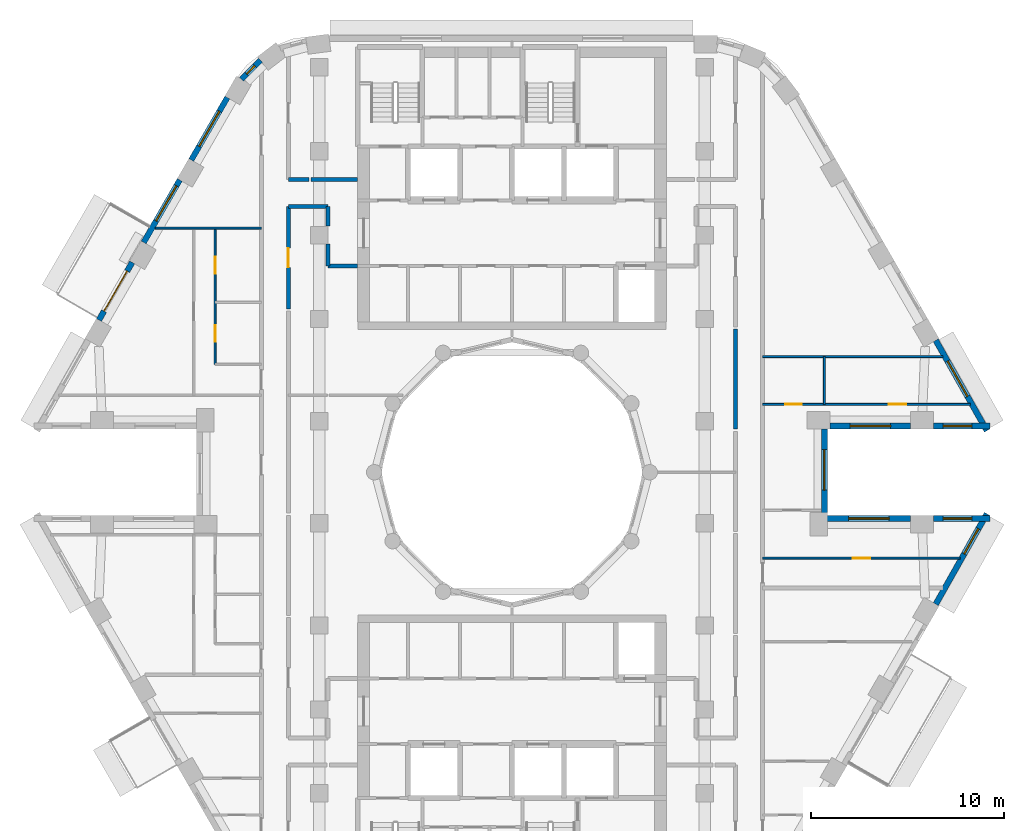
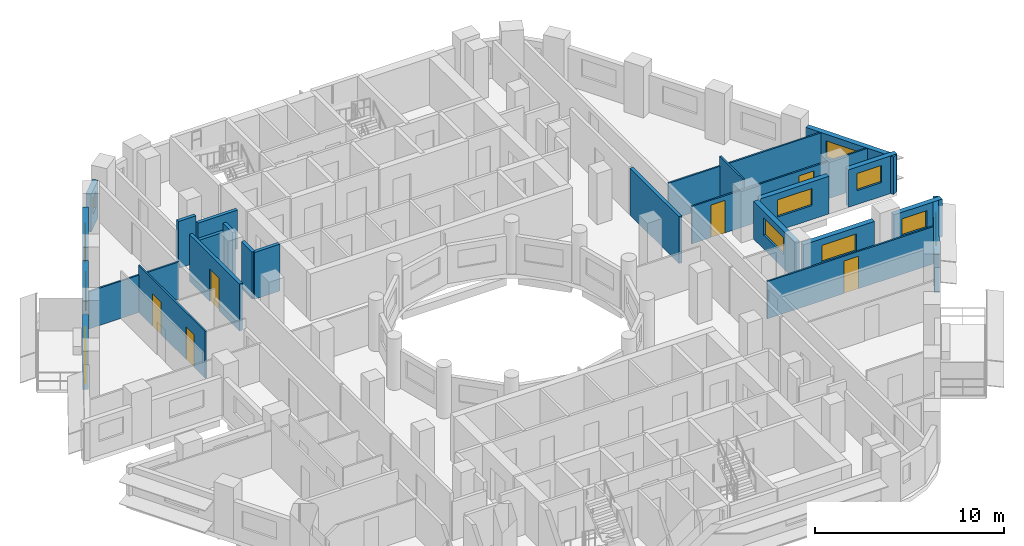
# One storey, part 7 of 17: 25 walls, 10 windows, 7 doors, 17 openings.
"""IFC4 building model written with IfcOpenShell, lengths in metres."""

from ifc_helpers import new_model, si_unit, direction, frame, frame_2d, origin, place, context, subcontext, project, spatial, rectangle, extrude, material, layer, layer_set, type_object, element, fill, save


model = new_model("IFC4")

# Units and contexts
model_context = context("Model", 3, precision=1e-05, world=origin(), true_north=direction((0.0, 1.0)))
body_context = subcontext(model_context, "Body", "Model", "MODEL_VIEW")
ifc_project = project(units=[si_unit("LENGTHUNIT", "METRE"), si_unit("AREAUNIT", "SQUARE_METRE"), si_unit("VOLUMEUNIT", "CUBIC_METRE"), si_unit("PLANEANGLEUNIT", "RADIAN"), si_unit("MASSUNIT", "GRAM", prefix="KILO")], contexts=[model_context])

# Site, building, storey
site_placement = place(None, origin())
site = spatial("IfcSite", under=ifc_project, at=site_placement, CompositionType="ELEMENT")
building_placement = place(site_placement, origin())
building = spatial("IfcBuilding", under=site, at=building_placement, Name="Nakaniwa Court", CompositionType="ELEMENT")
storey_placement = place(building_placement, frame((0.0, 0.0, 209.699951171875)))
storey = spatial("IfcBuildingStorey", under=building, at=storey_placement, Name="L55", CompositionType="ELEMENT", Elevation=209.699951171875)

# Walls
ifc_material_1 = material(Name="Acoustic double stud partition")
ifc_layer_1 = layer(ifc_material_1, 0.199951171875)
ifc_layer_set_1 = layer_set([ifc_layer_1], Name="Acoustic double stud partition")
wall_type_1 = type_object("IfcWallType", Name="Acoustic double stud partition 200", PredefinedType="PARTITIONING", material=ifc_layer_set_1)
wall_1_placement = place(storey_placement, frame((91.60009765625, 82.2373046875, 0.0), z_axis=(0.0, 0.0, 1.0), x_axis=(0.0, 1.0, 0.0)))
element("IfcWall", 1, at=wall_1_placement, inside=storey, type_object=wall_type_1, Name="Partition PW-077", PredefinedType="PARTITIONING", context=body_context, shape_type="SweptSolid", body=[
    extrude(rectangle(XDim=5.185546875, YDim=0.199951171875, at=frame_2d((2.5927734375, 0.0))), origin(), (0.0, 0.0, 1.0), 3.025146484375),
])
wall_2_placement = place(storey_placement, frame((68.39990234375, 93.77490234375, 0.0), z_axis=(0.0, 0.0, 1.0), x_axis=(1.0, 0.0, 0.0)))
element("IfcWall", 2, at=wall_2_placement, inside=storey, type_object=wall_type_1, Name="Partition PW-093", PredefinedType="PARTITIONING", context=body_context, shape_type="SweptSolid", body=[
    extrude(rectangle(XDim=2.050048828125, YDim=0.199951171875, at=frame_2d((1.02490234375, 0.0))), origin(), (0.0, 0.0, 1.0), 2.505126953125),
])
wall_3_placement = place(storey_placement, frame((70.449951171875, 90.699951171875, 0.0), z_axis=(0.0, 0.0, 1.0), x_axis=(1.0, 0.0, 0.0)))
element("IfcWall", 3, at=wall_3_placement, inside=storey, type_object=wall_type_1, Name="Partition PW-095", PredefinedType="PARTITIONING", context=body_context, shape_type="SweptSolid", body=[
    extrude(rectangle(XDim=1.550048828125, YDim=0.199951171875, at=frame_2d((0.77490234375, 0.0))), origin(), (0.0, 0.0, 1.0), 3.025146484375),
])
wall_4_placement = place(storey_placement, frame((68.39990234375, 95.175048828125, 0.0), z_axis=(0.0, 0.0, 1.0), x_axis=(1.0, 0.0, 0.0)))
element("IfcWall", 4, at=wall_4_placement, inside=storey, type_object=wall_type_1, Name="Partition PW-097", PredefinedType="PARTITIONING", context=body_context, shape_type="SweptSolid", body=[
    extrude(rectangle(XDim=1.072998046875, YDim=0.199951171875, at=frame_2d((0.53662109375, 0.0))), origin(), (0.0, 0.0, 1.0), 3.025146484375),
])
wall_5_placement = place(storey_placement, frame((69.587158203125, 95.175048828125, 0.0), z_axis=(0.0, 0.0, 1.0), x_axis=(1.0, 0.0, 0.0)))
element("IfcWall", 5, at=wall_5_placement, inside=storey, type_object=wall_type_1, Name="Partition PW-098", PredefinedType="PARTITIONING", context=body_context, shape_type="SweptSolid", body=[
    extrude(rectangle(XDim=2.412841796875, YDim=0.199951171875, at=frame_2d((1.20654296875, 0.0))), origin(), (0.0, 0.0, 1.0), 2.505126953125),
])

# Wall, opening, door
wall_6_placement = place(storey_placement, frame((68.39990234375, 93.77490234375, 0.0), z_axis=(0.0, 0.0, 1.0), x_axis=(0.0, -1.0, 0.0)))
wall_6 = element("IfcWall", 6, at=wall_6_placement, inside=storey, type_object=wall_type_1, Name="Partition PW-105", PredefinedType="PARTITIONING", context=body_context, shape_type="SweptSolid", body=[
    extrude(rectangle(XDim=5.297607421875, YDim=0.199951171875, at=frame_2d((2.64892578125, 0.0))), origin(), (0.0, 0.0, 1.0), 3.025146484375),
])
opening_1_placement = place(wall_6_placement, frame((2.14794921875, 0.0, 0.0)))
opening_1 = element("IfcOpeningElement", 7, at=opening_1_placement, cuts=wall_6, Name="Opening D-02-06", PredefinedType="OPENING", context=body_context, shape_type="SweptSolid", body=[
    extrude(rectangle(XDim=1.0, YDim=2.10009765625, at=frame_2d((0.5, 1.050048828125))), frame((0.0, 0.10986328125, 0.0), z_axis=(0.0, -1.0, 0.0), x_axis=(1.0, 0.0, 0.0)), (0.0, 0.0, 1.0), 0.219970703125),
])
ifc_material_2 = material(Name="Solid core timber door set, black veneer", Category="wood")
door_type_1 = type_object("IfcDoorType", Name="Internal door 1000", OperationType="NOTDEFINED", PredefinedType="DOOR", material=ifc_material_2)
door_1_placement = place(opening_1_placement, origin())
door_1 = element("IfcDoor", 8, at=door_1_placement, inside=storey, type_object=door_type_1, Name="Door D-02-06 L55-051", OperationType="SINGLE_SWING_RIGHT", OverallHeight=2.10009765625, OverallWidth=1.0, PredefinedType="DOOR", context=body_context, shape_type="SweptSolid", body=[
    extrude(rectangle(XDim=1.0, YDim=2.10009765625, at=frame_2d((0.5, 1.050048828125))), frame((0.0, 0.02490234375, 0.0), z_axis=(0.0, -1.0, 0.0), x_axis=(1.0, 0.0, 0.0)), (0.0, 0.0, 1.0), 0.050048828125),
])
fill(opening_1, door_1)

# Walls
wall_7_placement = place(storey_placement, frame((70.449951171875, 90.699951171875, 0.0), z_axis=(0.0, 0.0, 1.0), x_axis=(0.0, 1.0, 0.0)))
element("IfcWall", 9, at=wall_7_placement, inside=storey, type_object=wall_type_1, Name="Partition PW-110", PredefinedType="PARTITIONING", context=body_context, shape_type="SweptSolid", body=[
    extrude(rectangle(XDim=1.1328125, YDim=0.199951171875, at=frame_2d((0.56640625, 0.0))), origin(), (0.0, 0.0, 1.0), 3.025146484375),
])
wall_8_placement = place(storey_placement, frame((70.449951171875, 92.76708984375, 0.0), z_axis=(0.0, 0.0, 1.0), x_axis=(0.0, 1.0, 0.0)))
element("IfcWall", 10, at=wall_8_placement, inside=storey, type_object=wall_type_1, Name="Partition PW-111", PredefinedType="PARTITIONING", context=body_context, shape_type="SweptSolid", body=[
    extrude(rectangle(XDim=1.0078125, YDim=0.199951171875, at=frame_2d((0.50390625, 0.0))), origin(), (0.0, 0.0, 1.0), 3.025146484375),
])

# Wall, opening, window
ifc_material_3 = material(Name="Charcoal ceramic cladding")
ifc_layer_2 = layer(ifc_material_3, 0.02, Name="Ceramic cladding")
ifc_material_4 = material(Name="Ventilated air cavity")
ifc_layer_3 = layer(ifc_material_4, 0.04, ventilated=True, Name="Ventilated cavity")
ifc_material_5 = material(Name="Mineral wool insulation")
ifc_layer_4 = layer(ifc_material_5, 0.1, Name="Insulation")
ifc_material_6 = material(Name="Cement bonded sheathing board")
ifc_layer_5 = layer(ifc_material_6, 0.012, Name="Sheathing")
ifc_material_7 = material(Name="Cold-formed galvanised stud frame with mineral wool infill")
ifc_layer_6 = layer(ifc_material_7, 0.1, Name="Stud frame")
ifc_material_8 = material(Name="Fire-rated gypsum plasterboard lining")
ifc_layer_7 = layer(ifc_material_8, 0.028, Name="Lining")
ifc_layer_set_2 = layer_set([ifc_layer_2, ifc_layer_3, ifc_layer_4, ifc_layer_5, ifc_layer_6, ifc_layer_7], Name="Charcoal ceramic faced external wall system")
wall_type_2 = type_object("IfcWallType", Name="Black ceramic faced external wall 300", PredefinedType="SOLIDWALL", material=ifc_layer_set_2)
wall_9_placement = place(storey_placement, frame((96.49560546875, 82.39990234375, 0.0), z_axis=(0.0, 0.0, 1.0), x_axis=(1.0, 0.0, 0.0)))
wall_9 = element("IfcWall", 11, at=wall_9_placement, inside=storey, type_object=wall_type_2, Name="L55 external wall 00", PredefinedType="SOLIDWALL", context=body_context, shape_type="SweptSolid", body=[
    extrude(rectangle(XDim=4.17236328125, YDim=0.300048828125, at=frame_2d((2.086181640625, 0.0))), origin(), (0.0, 0.0, 1.0), 2.425048828125),
])
opening_2_placement = place(wall_9_placement, frame((1.036376953125, 0.0, 0.89990234375)))
opening_2 = element("IfcOpeningElement", 12, at=opening_2_placement, cuts=wall_9, Name="Opening W7.01", PredefinedType="OPENING", context=body_context, shape_type="SweptSolid", body=[
    extrude(rectangle(XDim=2.10009765625, YDim=1.10009765625, at=frame_2d((1.050048828125, 0.550048828125))), frame((0.0, 0.159912109375, 0.0), z_axis=(0.0, -1.0, 0.0), x_axis=(1.0, 0.0, 0.0)), (0.0, 0.0, 1.0), 0.320068359375),
])
ifc_material_9 = material(Name="Black anodised aluminium frame with dark low-E laminated double glazing", Category="aluminium")
window_type_1 = type_object("IfcWindowType", Name="Dark glass window 2100x1100 sill 900", PartitioningType="SINGLE_PANEL", PredefinedType="WINDOW", material=ifc_material_9)
window_1_placement = place(opening_2_placement, origin())
window_1 = element("IfcWindow", 13, at=window_1_placement, inside=storey, type_object=window_type_1, Name="L55 living window 00-0", OverallHeight=1.10009765625, OverallWidth=2.10009765625, PartitioningType="SINGLE_PANEL", PredefinedType="WINDOW", context=body_context, shape_type="SweptSolid", body=[
    extrude(rectangle(XDim=2.10009765625, YDim=1.10009765625, at=frame_2d((1.050048828125, 0.550048828125))), frame((0.0, 0.030029296875, 0.0), z_axis=(0.0, -1.0, 0.0), x_axis=(1.0, 0.0, 0.0)), (0.0, 0.0, 1.0), 0.06005859375),
])
fill(opening_2, window_1)

wall_10_placement = place(storey_placement, frame((101.860107421875, 82.39990234375, 0.0), z_axis=(0.0, 0.0, 1.0), x_axis=(1.0, 0.0, 0.0)))
wall_10 = element("IfcWall", 14, at=wall_10_placement, inside=storey, type_object=wall_type_2, Name="L55 external wall 01", PredefinedType="SOLIDWALL", context=body_context, shape_type="SweptSolid", body=[
    extrude(rectangle(XDim=2.937744140625, YDim=0.300048828125, at=frame_2d((1.46875, 0.0))), origin(), (0.0, 0.0, 1.0), 2.425048828125),
])
opening_3_placement = place(wall_10_placement, frame((0.493896484375, 0.0, 0.89990234375)))
opening_3 = element("IfcOpeningElement", 15, at=opening_3_placement, cuts=wall_10, Name="Opening W5.02", PredefinedType="OPENING", context=body_context, shape_type="SweptSolid", body=[
    extrude(rectangle(XDim=1.5, YDim=1.10009765625, at=frame_2d((0.75, 0.550048828125))), frame((0.0, 0.159912109375, 0.0), z_axis=(0.0, -1.0, 0.0), x_axis=(1.0, 0.0, 0.0)), (0.0, 0.0, 1.0), 0.320068359375),
])
window_type_2 = type_object("IfcWindowType", Name="Dark glass window 1500x1100 sill 900", PartitioningType="SINGLE_PANEL", PredefinedType="WINDOW", material=ifc_material_9)
window_2_placement = place(opening_3_placement, origin())
window_2 = element("IfcWindow", 16, at=window_2_placement, inside=storey, type_object=window_type_2, Name="L55 living window 01-0", OverallHeight=1.10009765625, OverallWidth=1.5, PartitioningType="SINGLE_PANEL", PredefinedType="WINDOW", context=body_context, shape_type="SweptSolid", body=[
    extrude(rectangle(XDim=1.5, YDim=1.10009765625, at=frame_2d((0.75, 0.550048828125))), frame((0.0, 0.030029296875, 0.0), z_axis=(0.0, -1.0, 0.0), x_axis=(1.0, 0.0, 0.0)), (0.0, 0.0, 1.0), 0.06005859375),
])
fill(opening_3, window_2)

wall_11_placement = place(storey_placement, frame((104.627197265625, 82.153564453125, 0.0), z_axis=(0.0, 0.0, 1.0), x_axis=(-0.492033360928, 0.870576344575, 0.0)))
wall_11 = element("IfcWall", 17, at=wall_11_placement, inside=storey, type_object=wall_type_2, Name="L55 external wall 02", PredefinedType="SOLIDWALL", context=body_context, shape_type="SweptSolid", body=[
    extrude(rectangle(XDim=5.38671875, YDim=0.300048828125, at=frame_2d((2.693359375, 0.0))), origin(), (0.0, 0.0, 1.0), 2.425048828125),
])
opening_4_placement = place(wall_11_placement, frame((2.04296875, 0.0, 0.89990234375)))
opening_4 = element("IfcOpeningElement", 18, at=opening_4_placement, cuts=wall_11, Name="Opening W7.03", PredefinedType="OPENING", context=body_context, shape_type="SweptSolid", body=[
    extrude(rectangle(XDim=2.10009765625, YDim=1.10009765625, at=frame_2d((1.050048828125, 0.550048828125))), frame((0.0, 0.159912109375, 0.0), z_axis=(0.0, -1.0, 0.0), x_axis=(1.0, 0.0, 0.0)), (0.0, 0.0, 1.0), 0.320068359375),
])
window_3_placement = place(opening_4_placement, origin())
window_3 = element("IfcWindow", 19, at=window_3_placement, inside=storey, type_object=window_type_1, Name="L55 habitable room window 02-1", OverallHeight=1.10009765625, OverallWidth=2.10009765625, PartitioningType="SINGLE_PANEL", PredefinedType="WINDOW", context=body_context, shape_type="SweptSolid", body=[
    extrude(rectangle(XDim=2.10009765625, YDim=1.10009765625, at=frame_2d((1.050048828125, 0.550048828125))), frame((0.0, 0.030029296875, 0.0), z_axis=(0.0, -1.0, 0.0), x_axis=(1.0, 0.0, 0.0)), (0.0, 0.0, 1.0), 0.06005859375),
])
fill(opening_4, window_3)

wall_12_placement = place(storey_placement, frame((66.951904296875, 101.36328125, 0.0), z_axis=(0.0, 0.0, 1.0), x_axis=(-0.70869320446, -0.705516790695, 0.0)))
wall_12 = element("IfcWall", 20, at=wall_12_placement, inside=storey, type_object=wall_type_2, Name="L55 external wall 10", PredefinedType="SOLIDWALL", context=body_context, shape_type="SweptSolid", body=[
    extrude(rectangle(XDim=1.383544921875, YDim=0.300048828125, at=frame_2d((0.69189453125, 0.0))), origin(), (0.0, 0.0, 1.0), 2.425048828125),
])
opening_5_placement = place(wall_12_placement, frame((0.407958984375, 0.0, 0.89990234375)))
opening_5 = element("IfcOpeningElement", 21, at=opening_5_placement, cuts=wall_12, Name="Opening W8.12", PredefinedType="OPENING", context=body_context, shape_type="SweptSolid", body=[
    extrude(rectangle(XDim=0.60009765625, YDim=1.10009765625, at=frame_2d((0.300048828125, 0.550048828125))), frame((0.0, 0.159912109375, 0.0), z_axis=(0.0, -1.0, 0.0), x_axis=(1.0, 0.0, 0.0)), (0.0, 0.0, 1.0), 0.320068359375),
])
window_type_3 = type_object("IfcWindowType", Name="Dark glass window 600x1100 sill 900", PartitioningType="SINGLE_PANEL", PredefinedType="WINDOW", material=ifc_material_9)
window_4_placement = place(opening_5_placement, origin())
window_4 = element("IfcWindow", 22, at=window_4_placement, inside=storey, type_object=window_type_3, Name="L55 habitable room window 10-1", OverallHeight=1.10009765625, OverallWidth=0.60009765625, PartitioningType="SINGLE_PANEL", PredefinedType="WINDOW", context=body_context, shape_type="SweptSolid", body=[
    extrude(rectangle(XDim=0.60009765625, YDim=1.10009765625, at=frame_2d((0.300048828125, 0.550048828125))), frame((0.0, 0.030029296875, 0.0), z_axis=(0.0, -1.0, 0.0), x_axis=(1.0, 0.0, 0.0)), (0.0, 0.0, 1.0), 0.06005859375),
])
fill(opening_5, window_4)

wall_13_placement = place(storey_placement, frame((65.239013671875, 99.433349609375, 0.0), z_axis=(0.0, 0.0, 1.0), x_axis=(-0.499982088007, -0.866035745032, 0.0)))
wall_13 = element("IfcWall", 23, at=wall_13_placement, inside=storey, type_object=wall_type_2, Name="L55 external wall 11", PredefinedType="SOLIDWALL", context=body_context, shape_type="SweptSolid", body=[
    extrude(rectangle(XDim=3.744384765625, YDim=0.300048828125, at=frame_2d((1.8720703125, 0.0))), origin(), (0.0, 0.0, 1.0), 2.425048828125),
])
opening_6_placement = place(wall_13_placement, frame((0.822265625, 0.0, 0.89990234375)))
opening_6 = element("IfcOpeningElement", 24, at=opening_6_placement, cuts=wall_13, Name="Opening W7.13", PredefinedType="OPENING", context=body_context, shape_type="SweptSolid", body=[
    extrude(rectangle(XDim=2.10009765625, YDim=1.10009765625, at=frame_2d((1.050048828125, 0.550048828125))), frame((0.0, 0.159912109375, 0.0), z_axis=(0.0, -1.0, 0.0), x_axis=(1.0, 0.0, 0.0)), (0.0, 0.0, 1.0), 0.320068359375),
])
window_5_placement = place(opening_6_placement, origin())
window_5 = element("IfcWindow", 25, at=window_5_placement, inside=storey, type_object=window_type_1, Name="L55 habitable room window 11-0", OverallHeight=1.10009765625, OverallWidth=2.10009765625, PartitioningType="SINGLE_PANEL", PredefinedType="WINDOW", context=body_context, shape_type="SweptSolid", body=[
    extrude(rectangle(XDim=2.10009765625, YDim=1.10009765625, at=frame_2d((1.050048828125, 0.550048828125))), frame((0.0, 0.030029296875, 0.0), z_axis=(0.0, -1.0, 0.0), x_axis=(1.0, 0.0, 0.0)), (0.0, 0.0, 1.0), 0.06005859375),
])
fill(opening_6, window_5)

wall_14_placement = place(storey_placement, frame((62.77099609375, 95.158447265625, 0.0), z_axis=(0.0, 0.0, 1.0), x_axis=(-0.500059225181, -0.86599120741, 0.0)))
wall_14 = element("IfcWall", 26, at=wall_14_placement, inside=storey, type_object=wall_type_2, Name="L55 external wall 12", PredefinedType="SOLIDWALL", context=body_context, shape_type="SweptSolid", body=[
    extrude(rectangle(XDim=3.744140625, YDim=0.300048828125, at=frame_2d((1.8720703125, 0.0))), origin(), (0.0, 0.0, 1.0), 2.425048828125),
])
opening_7_placement = place(wall_14_placement, frame((0.3544921875, 0.0, 0.89990234375)))
opening_7 = element("IfcOpeningElement", 27, at=opening_7_placement, cuts=wall_14, Name="Opening W7.14", PredefinedType="OPENING", context=body_context, shape_type="SweptSolid", body=[
    extrude(rectangle(XDim=2.10009765625, YDim=1.10009765625, at=frame_2d((1.050048828125, 0.550048828125))), frame((0.0, 0.159912109375, 0.0), z_axis=(0.0, -1.0, 0.0), x_axis=(1.0, 0.0, 0.0)), (0.0, 0.0, 1.0), 0.320068359375),
])
window_6_placement = place(opening_7_placement, origin())
window_6 = element("IfcWindow", 28, at=window_6_placement, inside=storey, type_object=window_type_1, Name="L55 habitable room window 12-0", OverallHeight=1.10009765625, OverallWidth=2.10009765625, PartitioningType="SINGLE_PANEL", PredefinedType="WINDOW", context=body_context, shape_type="SweptSolid", body=[
    extrude(rectangle(XDim=2.10009765625, YDim=1.10009765625, at=frame_2d((1.050048828125, 0.550048828125))), frame((0.0, 0.030029296875, 0.0), z_axis=(0.0, -1.0, 0.0), x_axis=(1.0, 0.0, 0.0)), (0.0, 0.0, 1.0), 0.06005859375),
])
fill(opening_7, window_6)

# Wall, opening, door
wall_15_placement = place(storey_placement, frame((60.302734375, 90.883544921875, 0.0), z_axis=(0.0, 0.0, 1.0), x_axis=(-0.499955427682, -0.866051136095, 0.0)))
wall_15 = element("IfcWall", 29, at=wall_15_placement, inside=storey, type_object=wall_type_2, Name="L55 external wall 13", PredefinedType="SOLIDWALL", context=body_context, shape_type="SweptSolid", body=[
    extrude(rectangle(XDim=3.447021484375, YDim=0.300048828125, at=frame_2d((1.7236328125, 0.0))), origin(), (0.0, 0.0, 1.0), 2.425048828125),
])
opening_8_placement = place(wall_15_placement, frame((0.5234375, 0.0, 0.0)))
opening_8 = element("IfcOpeningElement", 30, at=opening_8_placement, cuts=wall_15, Name="Opening XD13.01", PredefinedType="OPENING", context=body_context, shape_type="SweptSolid", body=[
    extrude(rectangle(XDim=2.39990234375, YDim=2.0, at=frame_2d((1.199951171875, 1.0))), frame((0.0, 0.159912109375, 0.0), z_axis=(0.0, -1.0, 0.0), x_axis=(1.0, 0.0, 0.0)), (0.0, 0.0, 1.0), 0.320068359375),
])
ifc_material_10 = material(Name="Black powder-coated aluminium frame with dark laminated glass", Category="aluminium")
door_type_2 = type_object("IfcDoorType", Name="Balcony sliding door 2400x2000", OperationType="DOUBLE_DOOR_SLIDING", PredefinedType="DOOR", material=ifc_material_10)
door_2_placement = place(opening_8_placement, origin())
door_2 = element("IfcDoor", 31, at=door_2_placement, inside=storey, type_object=door_type_2, Name="L55 balcony sliding door 01", OperationType="DOUBLE_DOOR_SLIDING", OverallHeight=2.0, OverallWidth=2.39990234375, PredefinedType="DOOR", context=body_context, shape_type="SweptSolid", body=[
    extrude(rectangle(XDim=2.39990234375, YDim=2.0, at=frame_2d((1.199951171875, 1.0))), frame((0.0, 0.02490234375, 0.0), z_axis=(0.0, -1.0, 0.0), x_axis=(1.0, 0.0, 0.0)), (0.0, 0.0, 1.0), 0.050048828125),
])
fill(opening_8, door_2)

# Wall, opening, window
wall_16_placement = place(storey_placement, frame((101.976806640625, 73.156982421875, 0.0), z_axis=(0.0, 0.0, 1.0), x_axis=(0.492033360928, 0.870576344575, 0.0)))
wall_16 = element("IfcWall", 32, at=wall_16_placement, inside=storey, type_object=wall_type_2, Name="L55 external wall 32", PredefinedType="SOLIDWALL", context=body_context, shape_type="SweptSolid", body=[
    extrude(rectangle(XDim=5.38671875, YDim=0.300048828125, at=frame_2d((2.693359375, 0.0))), origin(), (0.0, 0.0, 1.0), 2.425048828125),
])
opening_9_placement = place(wall_16_placement, frame((2.993896484375, 0.0, 0.89990234375)))
opening_9 = element("IfcOpeningElement", 33, at=opening_9_placement, cuts=wall_16, Name="Opening W5.32", PredefinedType="OPENING", context=body_context, shape_type="SweptSolid", body=[
    extrude(rectangle(XDim=1.5, YDim=1.10009765625, at=frame_2d((0.75, 0.550048828125))), frame((0.0, 0.159912109375, 0.0), z_axis=(0.0, -1.0, 0.0), x_axis=(1.0, 0.0, 0.0)), (0.0, 0.0, 1.0), 0.320068359375),
])
window_7_placement = place(opening_9_placement, origin())
window_7 = element("IfcWindow", 34, at=window_7_placement, inside=storey, type_object=window_type_2, Name="L55 habitable room window 32-2", OverallHeight=1.10009765625, OverallWidth=1.5, PartitioningType="SINGLE_PANEL", PredefinedType="WINDOW", context=body_context, shape_type="SweptSolid", body=[
    extrude(rectangle(XDim=1.5, YDim=1.10009765625, at=frame_2d((0.75, 0.550048828125))), frame((0.0, 0.030029296875, 0.0), z_axis=(0.0, -1.0, 0.0), x_axis=(1.0, 0.0, 0.0)), (0.0, 0.0, 1.0), 0.06005859375),
])
fill(opening_9, window_7)

wall_17_placement = place(storey_placement, frame((104.7978515625, 77.60009765625, 0.0), z_axis=(0.0, 0.0, 1.0), x_axis=(-1.0, 0.0, 0.0)))
wall_17 = element("IfcWall", 35, at=wall_17_placement, inside=storey, type_object=wall_type_2, Name="L55 external wall 33", PredefinedType="SOLIDWALL", context=body_context, shape_type="SweptSolid", body=[
    extrude(rectangle(XDim=2.937744140625, YDim=0.300048828125, at=frame_2d((1.46875, 0.0))), origin(), (0.0, 0.0, 1.0), 2.425048828125),
])
opening_10_placement = place(wall_17_placement, frame((0.944091796875, 0.0, 0.89990234375)))
opening_10 = element("IfcOpeningElement", 36, at=opening_10_placement, cuts=wall_17, Name="Opening W5.33", PredefinedType="OPENING", context=body_context, shape_type="SweptSolid", body=[
    extrude(rectangle(XDim=1.5, YDim=1.10009765625, at=frame_2d((0.75, 0.550048828125))), frame((0.0, 0.159912109375, 0.0), z_axis=(0.0, -1.0, 0.0), x_axis=(1.0, 0.0, 0.0)), (0.0, 0.0, 1.0), 0.320068359375),
])
window_8_placement = place(opening_10_placement, origin())
window_8 = element("IfcWindow", 37, at=window_8_placement, inside=storey, type_object=window_type_2, Name="L55 habitable room window 33-0", OverallHeight=1.10009765625, OverallWidth=1.5, PartitioningType="SINGLE_PANEL", PredefinedType="WINDOW", context=body_context, shape_type="SweptSolid", body=[
    extrude(rectangle(XDim=1.5, YDim=1.10009765625, at=frame_2d((0.75, 0.550048828125))), frame((0.0, 0.030029296875, 0.0), z_axis=(0.0, -1.0, 0.0), x_axis=(1.0, 0.0, 0.0)), (0.0, 0.0, 1.0), 0.06005859375),
])
fill(opening_10, window_8)

wall_18_placement = place(storey_placement, frame((100.66796875, 77.60009765625, 0.0), z_axis=(0.0, 0.0, 1.0), x_axis=(-1.0, 0.0, 0.0)))
wall_18 = element("IfcWall", 38, at=wall_18_placement, inside=storey, type_object=wall_type_2, Name="L55 external wall 34", PredefinedType="SOLIDWALL", context=body_context, shape_type="SweptSolid", body=[
    extrude(rectangle(XDim=4.322509765625, YDim=0.300048828125, at=frame_2d((2.1611328125, 0.0))), origin(), (0.0, 0.0, 1.0), 2.425048828125),
])
opening_11_placement = place(wall_18_placement, frame((1.111083984375, 0.0, 0.89990234375)))
opening_11 = element("IfcOpeningElement", 39, at=opening_11_placement, cuts=wall_18, Name="Opening W7.34", PredefinedType="OPENING", context=body_context, shape_type="SweptSolid", body=[
    extrude(rectangle(XDim=2.10009765625, YDim=1.10009765625, at=frame_2d((1.050048828125, 0.550048828125))), frame((0.0, 0.159912109375, 0.0), z_axis=(0.0, -1.0, 0.0), x_axis=(1.0, 0.0, 0.0)), (0.0, 0.0, 1.0), 0.320068359375),
])
window_9_placement = place(opening_11_placement, origin())
window_9 = element("IfcWindow", 40, at=window_9_placement, inside=storey, type_object=window_type_1, Name="L55 habitable room window 34-0", OverallHeight=1.10009765625, OverallWidth=2.10009765625, PartitioningType="SINGLE_PANEL", PredefinedType="WINDOW", context=body_context, shape_type="SweptSolid", body=[
    extrude(rectangle(XDim=2.10009765625, YDim=1.10009765625, at=frame_2d((1.050048828125, 0.550048828125))), frame((0.0, 0.030029296875, 0.0), z_axis=(0.0, -1.0, 0.0), x_axis=(1.0, 0.0, 0.0)), (0.0, 0.0, 1.0), 0.06005859375),
])
fill(opening_11, window_9)

wall_19_placement = place(storey_placement, frame((96.199462890625, 77.89599609375, 0.0), z_axis=(0.0, 0.0, 1.0), x_axis=(0.0, 1.0, 0.0)))
wall_19 = element("IfcWall", 41, at=wall_19_placement, inside=storey, type_object=wall_type_2, Name="L55 external wall 35", PredefinedType="SOLIDWALL", context=body_context, shape_type="SweptSolid", body=[
    extrude(rectangle(XDim=4.35791015625, YDim=0.300048828125, at=frame_2d((2.178955078125, 0.0))), origin(), (0.0, 0.0, 1.0), 2.425048828125),
])
opening_12_placement = place(wall_19_placement, frame((1.181396484375, 0.0, 0.89990234375)))
opening_12 = element("IfcOpeningElement", 42, at=opening_12_placement, cuts=wall_19, Name="Opening W7.35", PredefinedType="OPENING", context=body_context, shape_type="SweptSolid", body=[
    extrude(rectangle(XDim=2.10009765625, YDim=1.10009765625, at=frame_2d((1.050048828125, 0.550048828125))), frame((0.0, 0.159912109375, 0.0), z_axis=(0.0, -1.0, 0.0), x_axis=(1.0, 0.0, 0.0)), (0.0, 0.0, 1.0), 0.320068359375),
])
window_10_placement = place(opening_12_placement, origin())
window_10 = element("IfcWindow", 43, at=window_10_placement, inside=storey, type_object=window_type_1, Name="L55 living window 35-1", OverallHeight=1.10009765625, OverallWidth=2.10009765625, PartitioningType="SINGLE_PANEL", PredefinedType="WINDOW", context=body_context, shape_type="SweptSolid", body=[
    extrude(rectangle(XDim=2.10009765625, YDim=1.10009765625, at=frame_2d((1.050048828125, 0.550048828125))), frame((0.0, 0.030029296875, 0.0), z_axis=(0.0, -1.0, 0.0), x_axis=(1.0, 0.0, 0.0)), (0.0, 0.0, 1.0), 0.06005859375),
])
fill(opening_12, window_10)

# Wall, opening, door
ifc_material_11 = material(Name="Single stud plasterboard partition")
ifc_layer_8 = layer(ifc_material_11, 0.10009765625)
ifc_layer_set_3 = layer_set([ifc_layer_8], Name="Single stud plasterboard partition")
wall_type_3 = type_object("IfcWallType", Name="Single stud plasterboard partition 100", PredefinedType="PARTITIONING", material=ifc_layer_set_3)
wall_20_placement = place(storey_placement, frame((93.0009765625, 75.550048828125, 0.0), z_axis=(0.0, 0.0, 1.0), x_axis=(1.0, 0.0, 0.0)))
wall_20 = element("IfcWall", 44, at=wall_20_placement, inside=storey, type_object=wall_type_3, Name="Partition PW-122", PredefinedType="PARTITIONING", context=body_context, shape_type="SweptSolid", body=[
    extrude(rectangle(XDim=10.2373046875, YDim=0.10009765625, at=frame_2d((5.11865234375, 0.0))), origin(), (0.0, 0.0, 1.0), 2.405029296875),
])
opening_13_placement = place(wall_20_placement, frame((4.6689453125, 0.0, 0.0)))
opening_13 = element("IfcOpeningElement", 45, at=opening_13_placement, cuts=wall_20, Name="Opening D-33-03", PredefinedType="OPENING", context=body_context, shape_type="SweptSolid", body=[
    extrude(rectangle(XDim=0.89990234375, YDim=2.10009765625, at=frame_2d((0.449951171875, 1.050048828125))), frame((0.0, 0.06005859375, 0.0), z_axis=(0.0, -1.0, 0.0), x_axis=(1.0, 0.0, 0.0)), (0.0, 0.0, 1.0), 0.1201171875),
])
door_type_3 = type_object("IfcDoorType", Name="Internal door 900", OperationType="NOTDEFINED", PredefinedType="DOOR", material=ifc_material_2)
door_3_placement = place(opening_13_placement, origin())
door_3 = element("IfcDoor", 46, at=door_3_placement, inside=storey, type_object=door_type_3, Name="Door D-33-03 L55-036", OperationType="SINGLE_SWING_LEFT", OverallHeight=2.10009765625, OverallWidth=0.89990234375, PredefinedType="DOOR", context=body_context, shape_type="SweptSolid", body=[
    extrude(rectangle(XDim=0.89990234375, YDim=2.10009765625, at=frame_2d((0.449951171875, 1.050048828125))), frame((0.0, 0.02490234375, 0.0), z_axis=(0.0, -1.0, 0.0), x_axis=(1.0, 0.0, 0.0)), (0.0, 0.0, 1.0), 0.050048828125),
])
fill(opening_13, door_3)

# Wall, openings, doors
wall_21_placement = place(storey_placement, frame((93.0009765625, 83.52490234375, 0.0), z_axis=(0.0, 0.0, 1.0), x_axis=(1.0, 0.0, 0.0)))
wall_21 = element("IfcWall", 47, at=wall_21_placement, inside=storey, type_object=wall_type_3, Name="Partition PW-124", PredefinedType="PARTITIONING", context=body_context, shape_type="SweptSolid", body=[
    extrude(rectangle(XDim=10.771484375, YDim=0.10009765625, at=frame_2d((5.3857421875, 0.0))), origin(), (0.0, 0.0, 1.0), 2.405029296875),
])
opening_14_placement = place(wall_21_placement, frame((1.175048828125, 0.0, 0.0)))
opening_14 = element("IfcOpeningElement", 48, at=opening_14_placement, cuts=wall_21, Name="Opening D-03-02", PredefinedType="OPENING", context=body_context, shape_type="SweptSolid", body=[
    extrude(rectangle(XDim=0.85009765625, YDim=2.10009765625, at=frame_2d((0.425048828125, 1.050048828125))), frame((0.0, 0.06005859375, 0.0), z_axis=(0.0, -1.0, 0.0), x_axis=(1.0, 0.0, 0.0)), (0.0, 0.0, 1.0), 0.1201171875),
])
opening_15_placement = place(wall_21_placement, frame((6.535888671875, 0.0, 0.0)))
opening_15 = element("IfcOpeningElement", 49, at=opening_15_placement, cuts=wall_21, Name="Opening D-33-05", PredefinedType="OPENING", context=body_context, shape_type="SweptSolid", body=[
    extrude(rectangle(XDim=0.89990234375, YDim=2.10009765625, at=frame_2d((0.449951171875, 1.050048828125))), frame((0.0, 0.06005859375, 0.0), z_axis=(0.0, -1.0, 0.0), x_axis=(1.0, 0.0, 0.0)), (0.0, 0.0, 1.0), 0.1201171875),
])
ifc_material_12 = material(Name="Moisture sealed timber door set", Category="wood")
door_type_4 = type_object("IfcDoorType", Name="Bathroom door 850", OperationType="NOTDEFINED", PredefinedType="DOOR", material=ifc_material_12)
door_4_placement = place(opening_14_placement, origin())
door_4 = element("IfcDoor", 50, at=door_4_placement, inside=storey, type_object=door_type_4, Name="Door D-03-02 L55-038", OperationType="SINGLE_SWING_LEFT", OverallHeight=2.10009765625, OverallWidth=0.85009765625, PredefinedType="DOOR", context=body_context, shape_type="SweptSolid", body=[
    extrude(rectangle(XDim=0.85009765625, YDim=2.10009765625, at=frame_2d((0.425048828125, 1.050048828125))), frame((0.0, 0.02490234375, 0.0), z_axis=(0.0, -1.0, 0.0), x_axis=(1.0, 0.0, 0.0)), (0.0, 0.0, 1.0), 0.050048828125),
])
fill(opening_14, door_4)
door_5_placement = place(opening_15_placement, origin())
door_5 = element("IfcDoor", 51, at=door_5_placement, inside=storey, type_object=door_type_3, Name="Door D-33-05 L55-039", OperationType="SINGLE_SWING_RIGHT", OverallHeight=2.10009765625, OverallWidth=0.89990234375, PredefinedType="DOOR", context=body_context, shape_type="SweptSolid", body=[
    extrude(rectangle(XDim=0.89990234375, YDim=2.10009765625, at=frame_2d((0.449951171875, 1.050048828125))), frame((0.0, 0.02490234375, 0.0), z_axis=(0.0, -1.0, 0.0), x_axis=(1.0, 0.0, 0.0)), (0.0, 0.0, 1.0), 0.050048828125),
])
fill(opening_15, door_5)

# Walls
wall_22_placement = place(storey_placement, frame((96.200927734375, 83.52490234375, 0.0), z_axis=(0.0, 0.0, 1.0), x_axis=(0.0, 1.0, 0.0)))
element("IfcWall", 52, at=wall_22_placement, inside=storey, type_object=wall_type_3, Name="Partition PW-125", PredefinedType="PARTITIONING", context=body_context, shape_type="SweptSolid", body=[
    extrude(rectangle(XDim=2.47509765625, YDim=0.10009765625, at=frame_2d((1.237548828125, 0.0))), origin(), (0.0, 0.0, 1.0), 3.025146484375),
])
wall_23_placement = place(storey_placement, frame((93.001220703125, 86.0, 0.0), z_axis=(0.0, 0.0, 1.0), x_axis=(1.0, 0.0, 0.0)))
element("IfcWall", 53, at=wall_23_placement, inside=storey, type_object=wall_type_3, Name="Partition PW-126", PredefinedType="PARTITIONING", context=body_context, shape_type="SweptSolid", body=[
    extrude(rectangle(XDim=9.34228515625, YDim=0.10009765625, at=frame_2d((4.671142578125, 0.0))), origin(), (0.0, 0.0, 1.0), 2.405029296875),
])

# Wall, openings, doors
wall_24_placement = place(storey_placement, frame((64.59912109375, 92.66259765625, 0.0), z_axis=(0.0, 0.0, 1.0), x_axis=(0.0, -1.0, 0.0)))
wall_24 = element("IfcWall", 54, at=wall_24_placement, inside=storey, type_object=wall_type_3, Name="Partition PW-132", PredefinedType="PARTITIONING", context=body_context, shape_type="SweptSolid", body=[
    extrude(rectangle(XDim=7.0625, YDim=0.10009765625, at=frame_2d((3.53125, 0.0))), origin(), (0.0, 0.0, 1.0), 3.025146484375),
])
opening_16_placement = place(wall_24_placement, frame((5.032958984375, 0.0, 0.0)))
opening_16 = element("IfcOpeningElement", 55, at=opening_16_placement, cuts=wall_24, Name="Opening D-03-05", PredefinedType="OPENING", context=body_context, shape_type="SweptSolid", body=[
    extrude(rectangle(XDim=0.85009765625, YDim=2.10009765625, at=frame_2d((0.425048828125, 1.050048828125))), frame((0.0, 0.06005859375, 0.0), z_axis=(0.0, -1.0, 0.0), x_axis=(1.0, 0.0, 0.0)), (0.0, 0.0, 1.0), 0.1201171875),
])
opening_17_placement = place(wall_24_placement, frame((1.47705078125, 0.0, 0.0)))
opening_17 = element("IfcOpeningElement", 56, at=opening_17_placement, cuts=wall_24, Name="Opening D-33-10", PredefinedType="OPENING", context=body_context, shape_type="SweptSolid", body=[
    extrude(rectangle(XDim=0.89990234375, YDim=2.10009765625, at=frame_2d((0.449951171875, 1.050048828125))), frame((0.0, 0.06005859375, 0.0), z_axis=(0.0, -1.0, 0.0), x_axis=(1.0, 0.0, 0.0)), (0.0, 0.0, 1.0), 0.1201171875),
])
door_6_placement = place(opening_16_placement, origin())
door_6 = element("IfcDoor", 57, at=door_6_placement, inside=storey, type_object=door_type_4, Name="Door D-03-05 L55-053", OperationType="SINGLE_SWING_RIGHT", OverallHeight=2.10009765625, OverallWidth=0.85009765625, PredefinedType="DOOR", context=body_context, shape_type="SweptSolid", body=[
    extrude(rectangle(XDim=0.85009765625, YDim=2.10009765625, at=frame_2d((0.425048828125, 1.050048828125))), frame((0.0, 0.02490234375, 0.0), z_axis=(0.0, -1.0, 0.0), x_axis=(1.0, 0.0, 0.0)), (0.0, 0.0, 1.0), 0.050048828125),
])
fill(opening_16, door_6)
door_7_placement = place(opening_17_placement, origin())
door_7 = element("IfcDoor", 58, at=door_7_placement, inside=storey, type_object=door_type_3, Name="Door D-33-10 L55-054", OperationType="SINGLE_SWING_LEFT", OverallHeight=2.10009765625, OverallWidth=0.89990234375, PredefinedType="DOOR", context=body_context, shape_type="SweptSolid", body=[
    extrude(rectangle(XDim=0.89990234375, YDim=2.10009765625, at=frame_2d((0.449951171875, 1.050048828125))), frame((0.0, 0.02490234375, 0.0), z_axis=(0.0, -1.0, 0.0), x_axis=(1.0, 0.0, 0.0)), (0.0, 0.0, 1.0), 0.050048828125),
])
fill(opening_17, door_7)

# Wall
wall_25_placement = place(storey_placement, frame((61.503173828125, 92.662109375, 0.0), z_axis=(0.0, 0.0, 1.0), x_axis=(1.0, 0.0, 0.0)))
element("IfcWall", 59, at=wall_25_placement, inside=storey, type_object=wall_type_3, Name="Partition PW-142", PredefinedType="PARTITIONING", context=body_context, shape_type="SweptSolid", body=[
    extrude(rectangle(XDim=5.495849609375, YDim=0.10009765625, at=frame_2d((2.748046875, 0.0))), origin(), (0.0, 0.0, 1.0), 2.405029296875),
])

save(model, "model.ifc")
